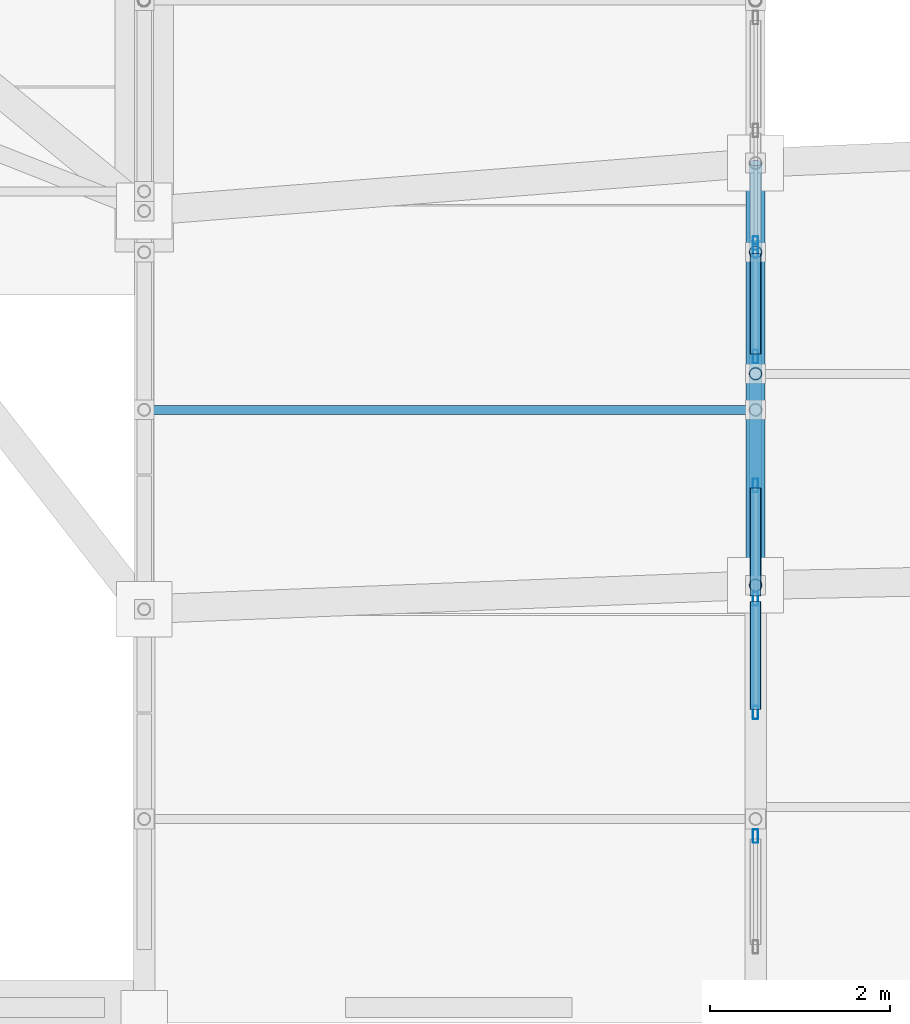
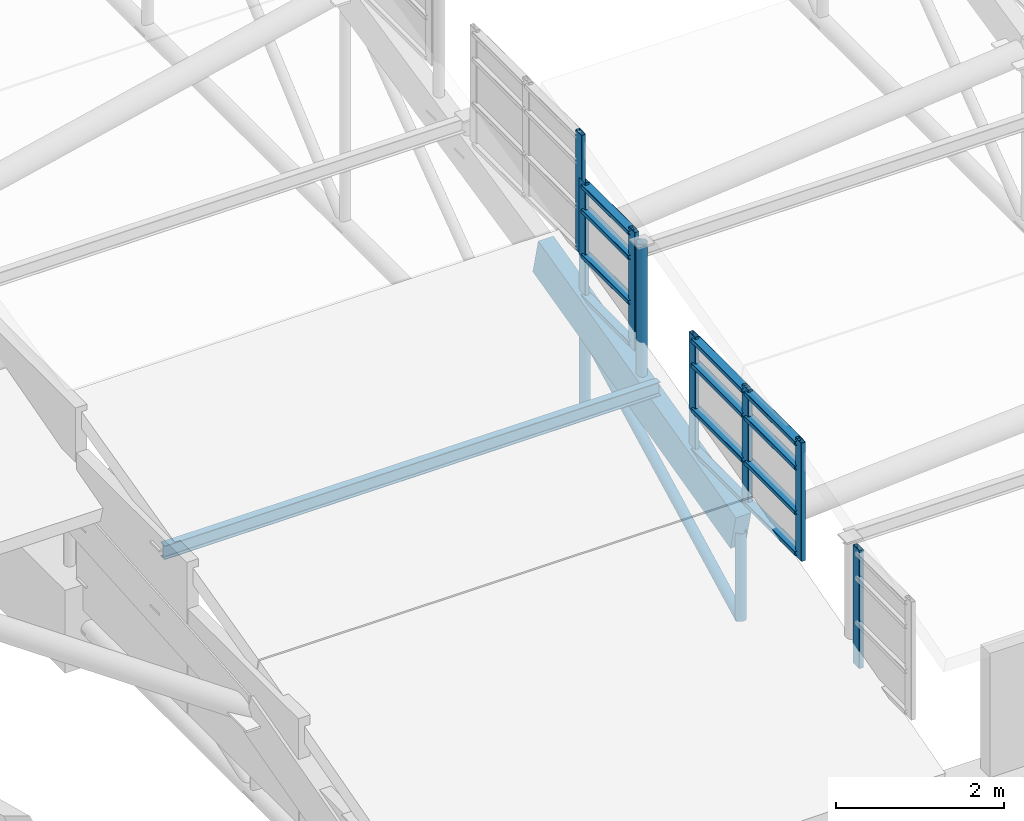
# One storey, part 67 of 188: 25 members, 4 elements without a shape of their own.
"""IFC4 building model written with IfcOpenShell, lengths in metres."""

from ifc_helpers import new_model, si_unit, direction, frame, origin, origin_2d, place, context, subcontext, project, spatial, rectangle, hollow_rectangle, hollow_circle, i_section, extrude, material, layer, layer_set, material_profile, profile_set, type_object, element, aggregate, save


model = new_model("IFC4")

# Units and contexts
model_context = context("Model", 3, precision=1e-05, world=origin(), true_north=direction((0.0, 1.0)))
body_context = subcontext(model_context, "Body", "Model", "MODEL_VIEW")
ifc_project = project(units=[si_unit("LENGTHUNIT", "METRE"), si_unit("AREAUNIT", "SQUARE_METRE"), si_unit("VOLUMEUNIT", "CUBIC_METRE"), si_unit("PLANEANGLEUNIT", "RADIAN"), si_unit("MASSUNIT", "GRAM", prefix="KILO")], contexts=[model_context])

# Site, building, storey
site_placement = place(None, origin())
site = spatial("IfcSite", under=ifc_project, at=site_placement, CompositionType="ELEMENT")
building_placement = place(site_placement, origin())
building = spatial("IfcBuilding", under=site, at=building_placement, Name="Kisaragi Civic Commons", CompositionType="ELEMENT")
storey_placement = place(building_placement, frame((0.0, 0.0, 9.60009765625)))
storey = spatial("IfcBuildingStorey", under=building, at=storey_placement, Name="L02", CompositionType="ELEMENT", Elevation=9.60009765625)

# Curtain wall, member
ifc_material_1 = material(Name="Thermally broken anodized aluminium and low-E double glazing", Category="aluminium")
ifc_layer = layer(ifc_material_1, 0.14990234375, Name="Thermally broken anodized aluminium and low-E double glazing", Category="aluminium")
ifc_layer_set = layer_set([ifc_layer], Name="Thermally broken anodized aluminium and low-E double glazing")
curtain_wall_type = type_object("IfcCurtainWallType", Name="CW-03", PredefinedType="NOTDEFINED", material=ifc_layer_set)
curtain_wall_1_placement = place(storey_placement, origin())
curtain_wall_1 = element("IfcCurtainWall", 1, at=curtain_wall_1_placement, inside=storey, type_object=curtain_wall_type, Name="L02 curtain wall CW-03 CW-CL-V2-179", PredefinedType="NOTDEFINED")
ifc_material_profile_1 = material_profile(ifc_material_1, hollow_rectangle(XDim=0.06005859375, YDim=0.14990234375, WallThickness=0.00390625, InnerFilletRadius=0.00390625, OuterFilletRadius=0.008056640625, at=origin_2d()), Name="CWM-60x150x4", Category="aluminium")
ifc_profile_set_1 = profile_set([ifc_material_profile_1], Name="Thermally broken anodized aluminium and low-E double glazing")
member_type_1 = type_object("IfcMemberType", Name="CWM-01", PredefinedType="MULLION", material=ifc_profile_set_1)
member_1_placement = place(storey_placement, frame((13.60009765625, 81.105712890625, 0.314208984375), z_axis=(0.0, 0.0, 1.0), x_axis=(-1.0, 0.0, 0.0)))
member_1 = element("IfcMember", 2, at=member_1_placement, type_object=member_type_1, Name="CW-03 mullion 2", PredefinedType="MULLION", context=body_context, shape_type="SweptSolid", body=[
    extrude(hollow_rectangle(XDim=0.06005859375, YDim=0.14990234375, WallThickness=0.00390625, InnerFilletRadius=0.00390625, OuterFilletRadius=0.008056640625, at=origin_2d()), origin(), (0.0, 0.0, 1.0), 1.710205078125),
])
aggregate(curtain_wall_1, [member_1])

# Curtain wall, members
curtain_wall_2_placement = place(storey_placement, origin())
curtain_wall_2 = element("IfcCurtainWall", 3, at=curtain_wall_2_placement, inside=storey, type_object=curtain_wall_type, Name="L02 curtain wall CW-03 CW-CL-V2-180", PredefinedType="NOTDEFINED")
member_2_placement = place(storey_placement, frame((13.60009765625, 82.481689453125, 1.032958984375), z_axis=(0.0, 0.0, 1.0), x_axis=(-1.0, 0.0, 0.0)))
member_2 = element("IfcMember", 4, at=member_2_placement, type_object=member_type_1, Name="CW-03 mullion 1", PredefinedType="MULLION", context=body_context, shape_type="SweptSolid", body=[
    extrude(hollow_rectangle(XDim=0.06005859375, YDim=0.14990234375, WallThickness=0.00390625, InnerFilletRadius=0.00390625, OuterFilletRadius=0.008056640625, at=origin_2d()), origin(), (0.0, 0.0, 1.0), 1.71533203125),
])
member_3_placement = place(storey_placement, frame((13.60009765625, 83.744384765625, 1.032958984375), z_axis=(0.0, 0.0, 1.0), x_axis=(-1.0, 0.0, 0.0)))
member_3 = element("IfcMember", 5, at=member_3_placement, type_object=member_type_1, Name="CW-03 mullion 2", PredefinedType="MULLION", context=body_context, shape_type="SweptSolid", body=[
    extrude(hollow_rectangle(XDim=0.06005859375, YDim=0.14990234375, WallThickness=0.00390625, InnerFilletRadius=0.00390625, OuterFilletRadius=0.008056640625, at=origin_2d()), origin(), (0.0, 0.0, 1.0), 1.71533203125),
])
member_4_placement = place(storey_placement, frame((13.60009765625, 85.007080078125, 1.032958984375), z_axis=(0.0, 0.0, 1.0), x_axis=(-1.0, 0.0, 0.0)))
member_4 = element("IfcMember", 6, at=member_4_placement, type_object=member_type_1, Name="CW-03 mullion 3", PredefinedType="MULLION", context=body_context, shape_type="SweptSolid", body=[
    extrude(hollow_rectangle(XDim=0.06005859375, YDim=0.14990234375, WallThickness=0.00390625, InnerFilletRadius=0.00390625, OuterFilletRadius=0.008056640625, at=origin_2d()), origin(), (0.0, 0.0, 1.0), 1.71533203125),
])

curtain_wall_3_placement = place(storey_placement, origin())
curtain_wall_3 = element("IfcCurtainWall", 7, at=curtain_wall_3_placement, inside=storey, type_object=curtain_wall_type, Name="L02 curtain wall CW-03 CW-CL-V2-181", PredefinedType="NOTDEFINED")
member_5_placement = place(storey_placement, frame((13.60009765625, 86.438232421875, 1.68359375), z_axis=(0.0, 0.0, 1.0), x_axis=(-1.0, 0.0, 0.0)))
member_5 = element("IfcMember", 8, at=member_5_placement, type_object=member_type_1, Name="CW-03 mullion 1", PredefinedType="MULLION", context=body_context, shape_type="SweptSolid", body=[
    extrude(hollow_rectangle(XDim=0.06005859375, YDim=0.14990234375, WallThickness=0.00390625, InnerFilletRadius=0.00390625, OuterFilletRadius=0.008056640625, at=origin_2d()), origin(), (0.0, 0.0, 1.0), 1.7177734375),
])
member_6_placement = place(storey_placement, frame((13.60009765625, 87.61669921875, 1.68359375), z_axis=(0.0, 0.0, 1.0), x_axis=(-1.0, 0.0, 0.0)))
member_6 = element("IfcMember", 9, at=member_6_placement, type_object=member_type_1, Name="CW-03 mullion 2", PredefinedType="MULLION", context=body_context, shape_type="SweptSolid", body=[
    extrude(hollow_rectangle(XDim=0.06005859375, YDim=0.14990234375, WallThickness=0.00390625, InnerFilletRadius=0.00390625, OuterFilletRadius=0.008056640625, at=origin_2d()), origin(), (0.0, 0.0, 1.0), 1.7177734375),
])

# Curtain wall, member
curtain_wall_4_placement = place(storey_placement, origin())
curtain_wall_4 = element("IfcCurtainWall", 10, at=curtain_wall_4_placement, inside=storey, type_object=curtain_wall_type, Name="L02 curtain wall CW-03 CW-CL-V2-182", PredefinedType="NOTDEFINED")
member_7_placement = place(storey_placement, frame((13.60009765625, 87.70068359375, 2.31103515625), z_axis=(0.0, 0.0, 1.0), x_axis=(-1.0, 0.0, 0.0)))
member_7 = element("IfcMember", 11, at=member_7_placement, type_object=member_type_1, Name="CW-03 mullion 1", PredefinedType="MULLION", context=body_context, shape_type="SweptSolid", body=[
    extrude(hollow_rectangle(XDim=0.06005859375, YDim=0.14990234375, WallThickness=0.00390625, InnerFilletRadius=0.00390625, OuterFilletRadius=0.008056640625, at=origin_2d()), origin(), (0.0, 0.0, 1.0), 1.732666015625),
])
aggregate(curtain_wall_4, [member_7])

# Member
ifc_material_profile_2 = material_profile(ifc_material_1, hollow_rectangle(XDim=0.1201171875, YDim=0.06005859375, WallThickness=0.00390625, InnerFilletRadius=0.00390625, OuterFilletRadius=0.008056640625, at=origin_2d()), Name="CWT-60x120x4", Category="aluminium")
ifc_profile_set_2 = profile_set([ifc_material_profile_2], Name="Thermally broken anodized aluminium and low-E double glazing")
member_type_2 = type_object("IfcMemberType", Name="CWT-01", PredefinedType="USERDEFINED", material=ifc_profile_set_2)
member_8_placement = place(storey_placement, frame((13.60009765625, 82.51171875, 1.093017578125), z_axis=(0.0, 1.0, 0.0), x_axis=(-1.0, 0.0, 0.0)))
member_8 = element("IfcMember", 12, at=member_8_placement, type_object=member_type_2, Name="CW-03 transom 1.1", ObjectType="TRANSOM", PredefinedType="USERDEFINED", context=body_context, shape_type="SweptSolid", body=[
    extrude(hollow_rectangle(XDim=0.1201171875, YDim=0.06005859375, WallThickness=0.00390625, InnerFilletRadius=0.00390625, OuterFilletRadius=0.008056640625, at=origin_2d()), origin(), (0.0, 0.0, 1.0), 1.20263671875),
])

member_9_placement = place(storey_placement, frame((13.60009765625, 82.51171875, 1.68310546875), z_axis=(0.0, 1.0, 0.0), x_axis=(-1.0, 0.0, 0.0)))
member_9 = element("IfcMember", 13, at=member_9_placement, type_object=member_type_2, Name="CW-03 transom 1.2", ObjectType="TRANSOM", PredefinedType="USERDEFINED", context=body_context, shape_type="SweptSolid", body=[
    extrude(hollow_rectangle(XDim=0.1201171875, YDim=0.06005859375, WallThickness=0.00390625, InnerFilletRadius=0.00390625, OuterFilletRadius=0.008056640625, at=origin_2d()), origin(), (0.0, 0.0, 1.0), 1.20263671875),
])

member_10_placement = place(storey_placement, frame((13.60009765625, 82.51171875, 2.3330078125), z_axis=(0.0, 1.0, 0.0), x_axis=(-1.0, 0.0, 0.0)))
member_10 = element("IfcMember", 14, at=member_10_placement, type_object=member_type_2, Name="CW-03 transom 1.3", ObjectType="TRANSOM", PredefinedType="USERDEFINED", context=body_context, shape_type="SweptSolid", body=[
    extrude(hollow_rectangle(XDim=0.1201171875, YDim=0.06005859375, WallThickness=0.00390625, InnerFilletRadius=0.00390625, OuterFilletRadius=0.008056640625, at=origin_2d()), origin(), (0.0, 0.0, 1.0), 1.20263671875),
])

member_11_placement = place(storey_placement, frame((13.60009765625, 82.51171875, 2.688232421875), z_axis=(0.0, 1.0, 0.0), x_axis=(-1.0, 0.0, 0.0)))
member_11 = element("IfcMember", 15, at=member_11_placement, type_object=member_type_2, Name="CW-03 transom 1.4", ObjectType="TRANSOM", PredefinedType="USERDEFINED", context=body_context, shape_type="SweptSolid", body=[
    extrude(hollow_rectangle(XDim=0.1201171875, YDim=0.06005859375, WallThickness=0.00390625, InnerFilletRadius=0.00390625, OuterFilletRadius=0.008056640625, at=origin_2d()), origin(), (0.0, 0.0, 1.0), 1.20263671875),
])

member_12_placement = place(storey_placement, frame((13.60009765625, 83.7744140625, 1.093017578125), z_axis=(0.0, 1.0, 0.0), x_axis=(-1.0, 0.0, 0.0)))
member_12 = element("IfcMember", 16, at=member_12_placement, type_object=member_type_2, Name="CW-03 transom 2.1", ObjectType="TRANSOM", PredefinedType="USERDEFINED", context=body_context, shape_type="SweptSolid", body=[
    extrude(hollow_rectangle(XDim=0.1201171875, YDim=0.06005859375, WallThickness=0.00390625, InnerFilletRadius=0.00390625, OuterFilletRadius=0.008056640625, at=origin_2d()), origin(), (0.0, 0.0, 1.0), 1.20263671875),
])

member_13_placement = place(storey_placement, frame((13.60009765625, 83.7744140625, 1.68310546875), z_axis=(0.0, 1.0, 0.0), x_axis=(-1.0, 0.0, 0.0)))
member_13 = element("IfcMember", 17, at=member_13_placement, type_object=member_type_2, Name="CW-03 transom 2.2", ObjectType="TRANSOM", PredefinedType="USERDEFINED", context=body_context, shape_type="SweptSolid", body=[
    extrude(hollow_rectangle(XDim=0.1201171875, YDim=0.06005859375, WallThickness=0.00390625, InnerFilletRadius=0.00390625, OuterFilletRadius=0.008056640625, at=origin_2d()), origin(), (0.0, 0.0, 1.0), 1.20263671875),
])

member_14_placement = place(storey_placement, frame((13.60009765625, 83.7744140625, 2.3330078125), z_axis=(0.0, 1.0, 0.0), x_axis=(-1.0, 0.0, 0.0)))
member_14 = element("IfcMember", 18, at=member_14_placement, type_object=member_type_2, Name="CW-03 transom 2.3", ObjectType="TRANSOM", PredefinedType="USERDEFINED", context=body_context, shape_type="SweptSolid", body=[
    extrude(hollow_rectangle(XDim=0.1201171875, YDim=0.06005859375, WallThickness=0.00390625, InnerFilletRadius=0.00390625, OuterFilletRadius=0.008056640625, at=origin_2d()), origin(), (0.0, 0.0, 1.0), 1.20263671875),
])

member_15_placement = place(storey_placement, frame((13.60009765625, 83.7744140625, 2.688232421875), z_axis=(0.0, 1.0, 0.0), x_axis=(-1.0, 0.0, 0.0)))
member_15 = element("IfcMember", 19, at=member_15_placement, type_object=member_type_2, Name="CW-03 transom 2.4", ObjectType="TRANSOM", PredefinedType="USERDEFINED", context=body_context, shape_type="SweptSolid", body=[
    extrude(hollow_rectangle(XDim=0.1201171875, YDim=0.06005859375, WallThickness=0.00390625, InnerFilletRadius=0.00390625, OuterFilletRadius=0.008056640625, at=origin_2d()), origin(), (0.0, 0.0, 1.0), 1.20263671875),
])

aggregate(curtain_wall_2, [member_2, member_3, member_4, member_8, member_9, member_10, member_11, member_12, member_13, member_14, member_15])

member_16_placement = place(storey_placement, frame((13.60009765625, 86.46826171875, 1.74365234375), z_axis=(0.0, 1.0, 0.0), x_axis=(-1.0, 0.0, 0.0)))
member_16 = element("IfcMember", 20, at=member_16_placement, type_object=member_type_2, Name="CW-03 transom 1.1", ObjectType="TRANSOM", PredefinedType="USERDEFINED", context=body_context, shape_type="SweptSolid", body=[
    extrude(hollow_rectangle(XDim=0.1201171875, YDim=0.06005859375, WallThickness=0.00390625, InnerFilletRadius=0.00390625, OuterFilletRadius=0.008056640625, at=origin_2d()), origin(), (0.0, 0.0, 1.0), 1.118408203125),
])

member_17_placement = place(storey_placement, frame((13.60009765625, 86.46826171875, 2.333740234375), z_axis=(0.0, 1.0, 0.0), x_axis=(-1.0, 0.0, 0.0)))
member_17 = element("IfcMember", 21, at=member_17_placement, type_object=member_type_2, Name="CW-03 transom 1.2", ObjectType="TRANSOM", PredefinedType="USERDEFINED", context=body_context, shape_type="SweptSolid", body=[
    extrude(hollow_rectangle(XDim=0.1201171875, YDim=0.06005859375, WallThickness=0.00390625, InnerFilletRadius=0.00390625, OuterFilletRadius=0.008056640625, at=origin_2d()), origin(), (0.0, 0.0, 1.0), 1.118408203125),
])

member_18_placement = place(storey_placement, frame((13.60009765625, 86.46826171875, 2.983642578125), z_axis=(0.0, 1.0, 0.0), x_axis=(-1.0, 0.0, 0.0)))
member_18 = element("IfcMember", 22, at=member_18_placement, type_object=member_type_2, Name="CW-03 transom 1.3", ObjectType="TRANSOM", PredefinedType="USERDEFINED", context=body_context, shape_type="SweptSolid", body=[
    extrude(hollow_rectangle(XDim=0.1201171875, YDim=0.06005859375, WallThickness=0.00390625, InnerFilletRadius=0.00390625, OuterFilletRadius=0.008056640625, at=origin_2d()), origin(), (0.0, 0.0, 1.0), 1.118408203125),
])

member_19_placement = place(storey_placement, frame((13.60009765625, 86.46826171875, 3.34130859375), z_axis=(0.0, 1.0, 0.0), x_axis=(-1.0, 0.0, 0.0)))
member_19 = element("IfcMember", 23, at=member_19_placement, type_object=member_type_2, Name="CW-03 transom 1.4", ObjectType="TRANSOM", PredefinedType="USERDEFINED", context=body_context, shape_type="SweptSolid", body=[
    extrude(hollow_rectangle(XDim=0.1201171875, YDim=0.06005859375, WallThickness=0.00390625, InnerFilletRadius=0.00390625, OuterFilletRadius=0.008056640625, at=origin_2d()), origin(), (0.0, 0.0, 1.0), 1.118408203125),
])

aggregate(curtain_wall_3, [member_5, member_6, member_16, member_17, member_18, member_19])

# Members
ifc_material_2 = material(Name="Glulam E120-F330", Category="wood")
ifc_material_profile_3 = material_profile(ifc_material_2, rectangle(XDim=0.2099609375, YDim=0.5400390625, at=origin_2d()), Name="GL-210x540", Category="wood")
ifc_profile_set_3 = profile_set([ifc_material_profile_3], Name="Glulam E120-F330")
member_type_3 = type_object("IfcMemberType", Name="GR-04", PredefinedType="RAFTER", material=ifc_profile_set_3)
member_20_placement = place(storey_placement, frame((13.60009765625, 83.896240234375, 0.569091796875), z_axis=(0.0, 0.970521194381, 0.241015790474), x_axis=(-1.0, 0.0, 0.0)))
element("IfcMember", 24, at=member_20_placement, inside=storey, type_object=member_type_3, Name="V2 glulam arch rib GR-04 18", PredefinedType="RAFTER", context=body_context, shape_type="SweptSolid", body=[
    extrude(rectangle(XDim=0.2099609375, YDim=0.5400390625, at=origin_2d()), origin(), (0.0, 0.0, 1.0), 4.8388671875),
])
ifc_material_3 = material(Name="Steel SN400 (SN400B)", Category="steel")
ifc_material_profile_4 = material_profile(ifc_material_3, i_section(OverallWidth=0.10009765625, OverallDepth=0.199951171875, WebThickness=0.005615234375, FlangeThickness=0.008056640625, FilletRadius=0.008056640625, at=origin_2d()), Name="H-200x100x5.5x8", Category="steel")
ifc_profile_set_4 = profile_set([ifc_material_profile_4], Name="Steel SN400 (SN400B)")
member_type_4 = type_object("IfcMemberType", Name="PR-02", PredefinedType="PURLIN", material=ifc_profile_set_4)
member_21_placement = place(storey_placement, frame((6.800048828125, 85.846923828125, 1.474609375), z_axis=(1.0, 0.0, 0.0), x_axis=(0.0, 1.0, 0.0)))
element("IfcMember", 25, at=member_21_placement, inside=storey, type_object=member_type_4, Name="V2 wave vault steel purlin 10", PredefinedType="PURLIN", context=body_context, shape_type="SweptSolid", body=[
    extrude(i_section(OverallWidth=0.10009765625, OverallDepth=0.199951171875, WebThickness=0.005615234375, FlangeThickness=0.008056640625, FilletRadius=0.008056640625, at=origin_2d()), origin(), (0.0, 0.0, 1.0), 6.800048828125),
])
ifc_material_4 = material(Name="Steel SN490 (SN490B)", Category="steel")
ifc_material_profile_5 = material_profile(ifc_material_4, hollow_circle(Radius=0.06982421875, WallThickness=0.006103515625, at=origin_2d()), Name="CHS-139.8x6.0", Category="steel")
ifc_profile_set_5 = profile_set([ifc_material_profile_5], Name="Steel SN490 (SN490B)")
member_type_5 = type_object("IfcMemberType", Name="ST-H1", PredefinedType="STRUT", material=ifc_profile_set_5)
member_22_placement = place(storey_placement, frame((13.60009765625, 83.896240234375, -0.69921875), z_axis=(0.0, 0.0, 1.0), x_axis=(1.0, 0.0, 0.0)))
element("IfcMember", 26, at=member_22_placement, inside=storey, type_object=member_type_5, Name="V2 arch tie hanger strut 31", PredefinedType="STRUT", context=body_context, shape_type="SweptSolid", body=[
    extrude(hollow_circle(Radius=0.06982421875, WallThickness=0.006103515625, at=origin_2d()), origin(), (0.0, 0.0, 1.0), 1.268310546875),
])
member_23_placement = place(storey_placement, frame((13.60009765625, 83.896240234375, -0.69921875), z_axis=(0.0, 0.887796439557, 0.460236332671), x_axis=(-1.0, 0.0, 0.0)))
element("IfcMember", 27, at=member_23_placement, inside=storey, type_object=member_type_5, Name="V2 tied arch truss diagonal web strut 38", PredefinedType="STRUT", context=body_context, shape_type="SweptSolid", body=[
    extrude(hollow_circle(Radius=0.06982421875, WallThickness=0.006103515625, at=origin_2d()), origin(), (0.0, 0.0, 1.0), 5.289794921875),
])
member_24_placement = place(storey_placement, frame((13.60009765625, 87.60009765625, -0.02001953125), z_axis=(0.0, 0.0, 1.0), x_axis=(1.0, 0.0, 0.0)))
element("IfcMember", 28, at=member_24_placement, inside=storey, type_object=member_type_5, Name="V2 interior column arch support post (13.6,87.6)", PredefinedType="STRUT", context=body_context, shape_type="SweptSolid", body=[
    extrude(hollow_circle(Radius=0.06982421875, WallThickness=0.006103515625, at=origin_2d()), origin(), (0.0, 0.0, 1.0), 1.509033203125),
])
member_25_placement = place(storey_placement, frame((13.60009765625, 86.248291015625, 1.1533203125), z_axis=(0.0, 0.0, 1.0), x_axis=(1.0, 0.0, 0.0)))
element("IfcMember", 29, at=member_25_placement, inside=storey, type_object=member_type_5, Name="V2 clerestory monitor horizontal tie strut 3.2.2", PredefinedType="STRUT", context=body_context, shape_type="SweptSolid", body=[
    extrude(hollow_circle(Radius=0.06982421875, WallThickness=0.006103515625, at=origin_2d()), origin(), (0.0, 0.0, 1.0), 2.178955078125),
])

save(model, "model.ifc")
